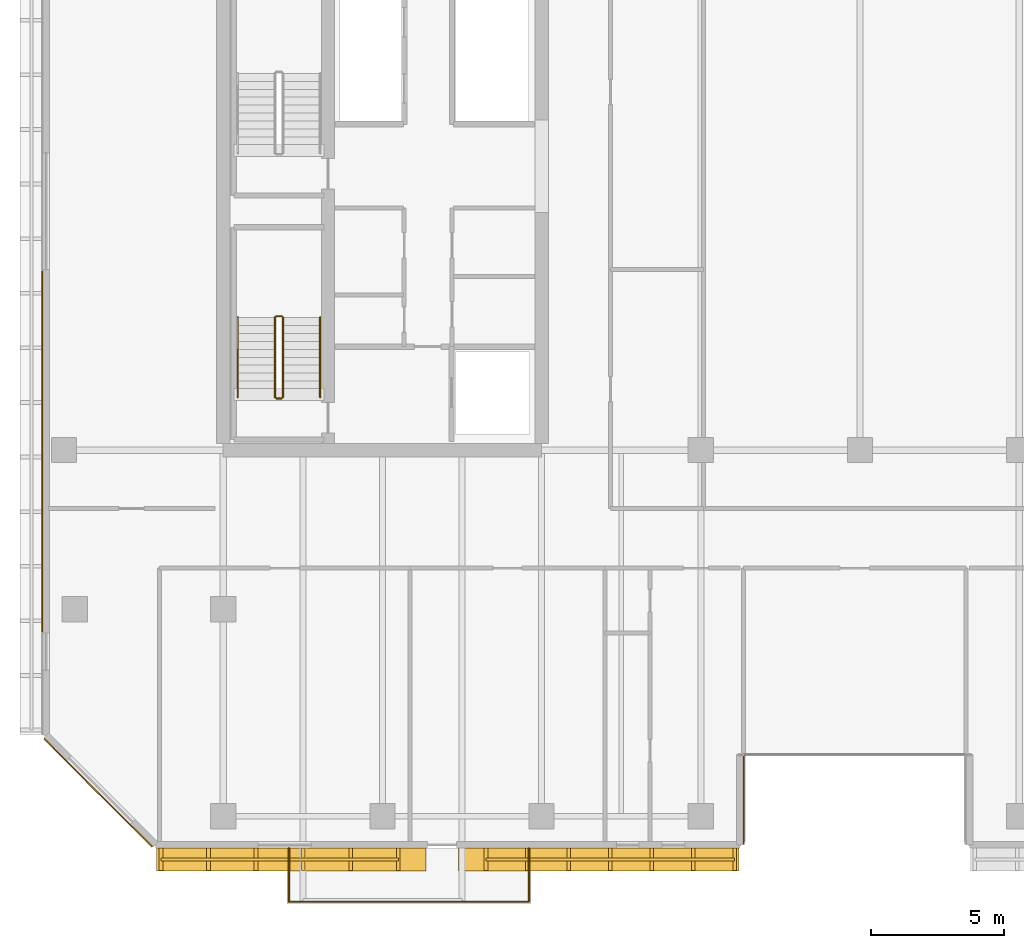
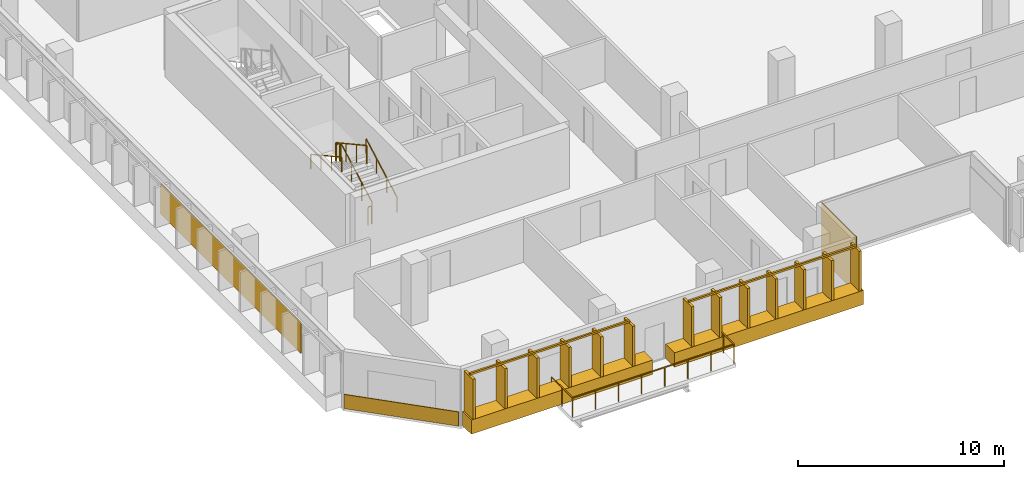
# One storey, part 18 of 23: 9 railings, 5 coverings.
"""IFC4 building model written with IfcOpenShell, lengths in metres."""

from ifc_helpers import new_model, si_unit, direction, frame, origin, origin_2d, place, context, subcontext, project, spatial, rectangle, extrude, material, layer, layer_set, type_object, element, save


model = new_model("IFC4")

# Units and contexts
model_context = context("Model", 3, precision=1e-05, world=origin(), true_north=direction((0.0, 1.0)))
body_context = subcontext(model_context, "Body", "Model", "MODEL_VIEW")
ifc_project = project(units=[si_unit("LENGTHUNIT", "METRE"), si_unit("AREAUNIT", "SQUARE_METRE"), si_unit("VOLUMEUNIT", "CUBIC_METRE"), si_unit("PLANEANGLEUNIT", "RADIAN"), si_unit("MASSUNIT", "GRAM", prefix="KILO")], contexts=[model_context])

# Site, building, storey
site_placement = place(None, origin())
site = spatial("IfcSite", under=ifc_project, at=site_placement, CompositionType="ELEMENT")
building_placement = place(site_placement, origin())
building = spatial("IfcBuilding", under=site, at=building_placement, Name="Tanjung Sevakor Pilgrim Tower", CompositionType="ELEMENT")
storey_placement = place(building_placement, frame((0.0, 0.0, 119.4599609375)))
storey = spatial("IfcBuildingStorey", under=building, at=storey_placement, Name="L33", CompositionType="ELEMENT", Elevation=119.4599609375)

# Coverings
ifc_material_1 = material(Name="Reconstructed Limestone Cladding", Category="masonry")
ifc_layer = layer(ifc_material_1, 0.044921875)
ifc_layer_set = layer_set([ifc_layer], Name="COV-CLAD-LIMESTONE")
covering_type = type_object("IfcCoveringType", Name="COV-CLAD-LIMESTONE", PredefinedType="CLADDING", material=ifc_layer_set)
covering_1_placement = place(storey_placement, frame((26.56591796875, 9.169921875, 0.009765625), z_axis=(0.0, 0.0, 1.0), x_axis=(1.0, 0.0, 0.0)))
element("IfcCovering", 1, at=covering_1_placement, inside=storey, type_object=covering_type, Name="L33 Warm Limestone Sill Spandrel EW-L33-MAIN-1-1", PredefinedType="CLADDING", context=body_context, shape_type="SweptSolid", body=[
    extrude(rectangle(XDim=10.148193359375, YDim=0.860107421875, at=origin_2d()), origin(), (0.0, 0.0, 1.0), 0.840087890625),
])
covering_2_placement = place(storey_placement, frame((38.1474609375, 9.169921875, 0.009765625), z_axis=(0.0, 0.0, 1.0), x_axis=(1.0, 0.0, 0.0)))
element("IfcCovering", 2, at=covering_2_placement, inside=storey, type_object=covering_type, Name="L33 Warm Limestone Sill Spandrel EW-L33-MAIN-1-2", PredefinedType="CLADDING", context=body_context, shape_type="SweptSolid", body=[
    extrude(rectangle(XDim=10.574951171875, YDim=0.860107421875, at=origin_2d()), origin(), (0.0, 0.0, 1.0), 0.840087890625),
])
covering_3_placement = place(storey_placement, frame((43.62255859375, 11.425048828125, 0.02001953125), z_axis=(0.0, 0.0, 1.0), x_axis=(0.0, 1.0, 0.0)))
element("IfcCovering", 3, at=covering_3_placement, inside=storey, type_object=covering_type, Name="L33 Warm Limestone Wall Cladding EW-L33-MAIN-2", PredefinedType="CLADDING", context=body_context, shape_type="SweptSolid", body=[
    extrude(rectangle(XDim=3.360107421875, YDim=0.044921875, at=origin_2d()), origin(), (0.0, 0.0, 1.0), 3.31005859375),
])
covering_4_placement = place(storey_placement, frame((17.177490234375, 24.552978515625, 0.85009765625), z_axis=(0.0, 0.0, 1.0), x_axis=(0.0, -1.0, 0.0)))
element("IfcCovering", 4, at=covering_4_placement, inside=storey, type_object=covering_type, Name="L33 Warm Limestone Pier Panel EW-L33-MAIN-15-2", PredefinedType="CLADDING", context=body_context, shape_type="SweptSolid", body=[
    extrude(rectangle(XDim=13.593994140625, YDim=0.044921875, at=origin_2d()), origin(), (0.0, 0.0, 1.0), 1.81005859375),
])
covering_5_placement = place(storey_placement, frame((19.2841796875, 11.68408203125, 0.009765625), z_axis=(0.0, 0.0, 1.0), x_axis=(0.707106781187, -0.707106781187, 0.0)))
element("IfcCovering", 5, at=covering_5_placement, inside=storey, type_object=covering_type, Name="L33 Warm Limestone Sill Spandrel EW-CHM-L33-MAIN-15-1", PredefinedType="CLADDING", context=body_context, shape_type="SweptSolid", body=[
    extrude(rectangle(XDim=5.756103515625, YDim=0.044921875, at=origin_2d()), origin(), (0.0, 0.0, 1.0), 0.840087890625),
])

# Railings
ifc_material_2 = material(Name="Laminated Glass and Aluminium", Category="aluminium")
railing_type_1 = type_object("IfcRailingType", Name="RL-BAL-BALUST", PredefinedType="BALUSTRADE", material=ifc_material_2)
railing_1_placement = place(storey_placement, frame((26.47998046875, 9.60009765625, 0.0)))
element("IfcRailing", 6, at=railing_1_placement, inside=storey, type_object=railing_type_1, Name="L33 Loggia Balustrade MAIN-S1", PredefinedType="BALUSTRADE", context=body_context, shape_type="SweptSolid", body=[
    extrude(rectangle(XDim=0.0479, YDim=0.0479), frame((0.0, 0.0, 1.1259765625), z_axis=(0.0, -1.0, 0.0), x_axis=(1.0, 0.0, 0.0)), (0.0, 0.0, 1.0), 2.02001953125),
    extrude(rectangle(XDim=0.0479, YDim=0.0479), frame((0.0, -2.02001953125, 1.1259765625), z_axis=(1.0, 0.0, 0.0), x_axis=(0.0, 1.0, 0.0)), (0.0, 0.0, 1.0), 9.0400390625),
    extrude(rectangle(XDim=0.0479, YDim=0.0479), frame((9.0400390625, -2.02001953125, 1.1259765625), z_axis=(0.0, 1.0, 0.0), x_axis=(-1.0, 0.0, 0.0)), (0.0, 0.0, 1.0), 2.02001953125),
    extrude(rectangle(XDim=0.042, YDim=0.042), origin(), (0.0, 0.0, 1.0), 1.101806640625),
    extrude(rectangle(XDim=0.042, YDim=0.042), frame((0.0, -1.010009765625, 0.0)), (0.0, 0.0, 1.0), 1.101806640625),
    extrude(rectangle(XDim=0.042, YDim=0.042), frame((0.0, -2.02001953125, 0.0)), (0.0, 0.0, 1.0), 1.101806640625),
    extrude(rectangle(XDim=0.042, YDim=0.042), frame((1.29150390625, -2.02001953125, 0.0)), (0.0, 0.0, 1.0), 1.101806640625),
    extrude(rectangle(XDim=0.042, YDim=0.042), frame((2.582763671875, -2.02001953125, 0.0)), (0.0, 0.0, 1.0), 1.101806640625),
    extrude(rectangle(XDim=0.042, YDim=0.042), frame((3.874267578125, -2.02001953125, 0.0)), (0.0, 0.0, 1.0), 1.101806640625),
    extrude(rectangle(XDim=0.042, YDim=0.042), frame((5.165771484375, -2.02001953125, 0.0)), (0.0, 0.0, 1.0), 1.101806640625),
    extrude(rectangle(XDim=0.042, YDim=0.042), frame((6.457275390625, -2.02001953125, 0.0)), (0.0, 0.0, 1.0), 1.101806640625),
    extrude(rectangle(XDim=0.042, YDim=0.042), frame((7.74853515625, -2.02001953125, 0.0)), (0.0, 0.0, 1.0), 1.101806640625),
    extrude(rectangle(XDim=0.042, YDim=0.042), frame((9.0400390625, -2.02001953125, 0.0)), (0.0, 0.0, 1.0), 1.101806640625),
    extrude(rectangle(XDim=0.042, YDim=0.042), frame((9.0400390625, -1.010009765625, 0.0)), (0.0, 0.0, 1.0), 1.101806640625),
    extrude(rectangle(XDim=0.042, YDim=0.042), frame((9.0400390625, 0.0, 0.0)), (0.0, 0.0, 1.0), 1.101806640625),
])
ifc_material_3 = material(Name="Anodised Bronze Aluminium 6063-T6", Category="aluminium")
railing_type_2 = type_object("IfcRailingType", Name="RL-FIN-SCREEN", PredefinedType="BALUSTRADE", material=ifc_material_3)
railing_2_placement = place(storey_placement, frame((21.65185546875, 9.175048828125, 0.840087890625)))
element("IfcRailing", 7, at=railing_2_placement, inside=storey, type_object=railing_type_2, Name="L33 Vertical Bronze-Gold Solar Fin Screen FNSCR-EW-L33-MAIN-1-1", PredefinedType="BALUSTRADE", context=body_context, shape_type="SweptSolid", body=[
    extrude(rectangle(XDim=0.105, YDim=0.105), frame((0.0, 0.0, 2.427490234375), z_axis=(1.0, 0.0, 0.0), x_axis=(0.0, 1.0, 0.0)), (0.0, 0.0, 1.0), 8.9482421875),
    extrude(rectangle(XDim=0.14, YDim=0.85), origin(), (0.0, 0.0, 1.0), 2.375),
    extrude(rectangle(XDim=0.14, YDim=0.85), frame((1.78955078125, 0.0, 0.0)), (0.0, 0.0, 1.0), 2.375),
    extrude(rectangle(XDim=0.14, YDim=0.85), frame((3.579345703125, 0.0, 0.0)), (0.0, 0.0, 1.0), 2.375),
    extrude(rectangle(XDim=0.14, YDim=0.85), frame((5.368896484375, 0.0, 0.0)), (0.0, 0.0, 1.0), 2.375),
    extrude(rectangle(XDim=0.14, YDim=0.85), frame((7.15869140625, 0.0, 0.0)), (0.0, 0.0, 1.0), 2.375),
    extrude(rectangle(XDim=0.14, YDim=0.85), frame((8.9482421875, 0.0, 0.0)), (0.0, 0.0, 1.0), 2.375),
])
railing_3_placement = place(storey_placement, frame((33.89990234375, 9.175048828125, 0.840087890625)))
element("IfcRailing", 8, at=railing_3_placement, inside=storey, type_object=railing_type_2, Name="L33 Vertical Bronze-Gold Solar Fin Screen FNSCR-EW-L33-MAIN-1-2", PredefinedType="BALUSTRADE", context=body_context, shape_type="SweptSolid", body=[
    extrude(rectangle(XDim=0.105, YDim=0.105), frame((0.0, 0.0, 2.427490234375), z_axis=(1.0, 0.0, 0.0), x_axis=(0.0, 1.0, 0.0)), (0.0, 0.0, 1.0), 9.375),
    extrude(rectangle(XDim=0.14, YDim=0.85), origin(), (0.0, 0.0, 1.0), 2.375),
    extrude(rectangle(XDim=0.14, YDim=0.85), frame((1.5625, 0.0, 0.0)), (0.0, 0.0, 1.0), 2.375),
    extrude(rectangle(XDim=0.14, YDim=0.85), frame((3.125, 0.0, 0.0)), (0.0, 0.0, 1.0), 2.375),
    extrude(rectangle(XDim=0.14, YDim=0.85), frame((4.6875, 0.0, 0.0)), (0.0, 0.0, 1.0), 2.375),
    extrude(rectangle(XDim=0.14, YDim=0.85), frame((6.25, 0.0, 0.0)), (0.0, 0.0, 1.0), 2.375),
    extrude(rectangle(XDim=0.14, YDim=0.85), frame((7.8125, 0.0, 0.0)), (0.0, 0.0, 1.0), 2.375),
    extrude(rectangle(XDim=0.14, YDim=0.85), frame((9.375, 0.0, 0.0)), (0.0, 0.0, 1.0), 2.375),
])
ifc_material_4 = material(Name="Steel S355J2", Category="steel")
railing_type_3 = type_object("IfcRailingType", Name="RL-STAIR-GUARD", PredefinedType="GUARDRAIL", material=ifc_material_4)
railing_4_placement = place(storey_placement, frame((26.25, 26.60009765625, 0.1650390625)))
element("IfcRailing", 9, at=railing_4_placement, inside=storey, type_object=railing_type_3, Name="L33 TS-W1 stair guard 1", PredefinedType="GUARDRAIL", context=body_context, shape_type="SweptSolid", body=[
    extrude(rectangle(XDim=0.0479, YDim=0.0479), frame((0.0, 0.0, 1.076171875), z_axis=(0.0, 0.876227952683, 0.48189685093), x_axis=(-1.0, 0.0, 0.0)), (0.0, 0.0, 1.0), 3.423828125),
    extrude(rectangle(XDim=0.042, YDim=0.042), origin(), (0.0, 0.0, 1.0), 1.052001953125),
    extrude(rectangle(XDim=0.042, YDim=0.042), frame((0.0, 1.0, 0.550048828125)), (0.0, 0.0, 1.0), 1.052001953125),
    extrude(rectangle(XDim=0.042, YDim=0.042), frame((0.0, 2.0, 1.099853515625)), (0.0, 0.0, 1.0), 1.052001953125),
    extrude(rectangle(XDim=0.042, YDim=0.042), frame((0.0, 3.0, 1.64990234375)), (0.0, 0.0, 1.0), 1.052001953125),
])
railing_5_placement = place(storey_placement, frame((26.199951171875, 29.64990234375, 1.81494140625)))
element("IfcRailing", 10, at=railing_5_placement, inside=storey, type_object=railing_type_3, Name="L33 TS-W1 stair guard 2", PredefinedType="GUARDRAIL", context=body_context, shape_type="SweptSolid", body=[
    extrude(rectangle(XDim=0.0479, YDim=0.0479), frame((0.0, 0.0, 1.076171875), z_axis=(-1.0, 0.0, 0.0), x_axis=(0.0, -1.0, 0.0)), (0.0, 0.0, 1.0), 0.199951171875),
    extrude(rectangle(XDim=0.042, YDim=0.042), origin(), (0.0, 0.0, 1.0), 1.052001953125),
    extrude(rectangle(XDim=0.042, YDim=0.042), frame((-0.199951171875, 0.0, 0.0)), (0.0, 0.0, 1.0), 1.052001953125),
])
railing_6_placement = place(storey_placement, frame((25.949951171875, 29.60009765625, 1.97998046875)))
element("IfcRailing", 11, at=railing_6_placement, inside=storey, type_object=railing_type_3, Name="L33 TS-W1 stair guard 3", PredefinedType="GUARDRAIL", context=body_context, shape_type="SweptSolid", body=[
    extrude(rectangle(XDim=0.0479, YDim=0.0479), frame((0.0, 0.0, 1.076171875), z_axis=(0.0, -0.876197842262, 0.481951596342), x_axis=(1.0, 0.0, 0.0)), (0.0, 0.0, 1.0), 3.423828125),
    extrude(rectangle(XDim=0.042, YDim=0.042), origin(), (0.0, 0.0, 1.0), 1.052001953125),
    extrude(rectangle(XDim=0.042, YDim=0.042), frame((0.0, -1.0, 0.550048828125)), (0.0, 0.0, 1.0), 1.052001953125),
    extrude(rectangle(XDim=0.042, YDim=0.042), frame((0.0, -2.0, 1.10009765625)), (0.0, 0.0, 1.0), 1.052001953125),
    extrude(rectangle(XDim=0.042, YDim=0.042), frame((0.0, -3.0, 1.650146484375)), (0.0, 0.0, 1.0), 1.052001953125),
])
railing_7_placement = place(storey_placement, frame((26.199951171875, 26.550048828125, 0.0)))
element("IfcRailing", 12, at=railing_7_placement, inside=storey, type_object=railing_type_3, Name="L33 TS-W1 stair guard 4", PredefinedType="GUARDRAIL", context=body_context, shape_type="SweptSolid", body=[
    extrude(rectangle(XDim=0.0479, YDim=0.0479), frame((0.0, 0.0, 1.076171875), z_axis=(-1.0, 0.0, 0.0), x_axis=(0.0, -1.0, 0.0)), (0.0, 0.0, 1.0), 0.199951171875),
    extrude(rectangle(XDim=0.042, YDim=0.042), origin(), (0.0, 0.0, 1.0), 1.052001953125),
    extrude(rectangle(XDim=0.042, YDim=0.042), frame((-0.199951171875, 0.0, 0.0)), (0.0, 0.0, 1.0), 1.052001953125),
])
ifc_material_5 = material(Name="Steel S355J2", Category="steel")
railing_type_4 = type_object("IfcRailingType", Name="RL-STAIR-HAND", PredefinedType="HANDRAIL", material=ifc_material_5)
railing_8_placement = place(storey_placement, frame((27.64990234375, 26.60009765625, 0.1650390625)))
element("IfcRailing", 13, at=railing_8_placement, inside=storey, type_object=railing_type_4, Name="L33 TS-W1 stair handrail 1", PredefinedType="HANDRAIL", context=body_context, shape_type="SweptSolid", body=[
    extrude(rectangle(XDim=0.0479, YDim=0.0479), frame((0.0, 0.0, 0.8759765625), z_axis=(0.0, 0.876227952683, 0.48189685093), x_axis=(-1.0, 0.0, 0.0)), (0.0, 0.0, 1.0), 3.423828125),
    extrude(rectangle(XDim=0.042, YDim=0.042), origin(), (0.0, 0.0, 1.0), 0.851806640625),
    extrude(rectangle(XDim=0.042, YDim=0.042), frame((0.0, 1.0, 0.550048828125)), (0.0, 0.0, 1.0), 0.851806640625),
    extrude(rectangle(XDim=0.042, YDim=0.042), frame((0.0, 2.0, 1.099853515625)), (0.0, 0.0, 1.0), 0.851806640625),
    extrude(rectangle(XDim=0.042, YDim=0.042), frame((0.0, 3.0, 1.64990234375)), (0.0, 0.0, 1.0), 0.851806640625),
])
railing_9_placement = place(storey_placement, frame((24.550048828125, 29.60009765625, 1.97998046875)))
element("IfcRailing", 14, at=railing_9_placement, inside=storey, type_object=railing_type_4, Name="L33 TS-W1 stair handrail 2", PredefinedType="HANDRAIL", context=body_context, shape_type="SweptSolid", body=[
    extrude(rectangle(XDim=0.0479, YDim=0.0479), frame((0.0, 0.0, 0.8759765625), z_axis=(0.0, -0.876197842262, 0.481951596342), x_axis=(1.0, 0.0, 0.0)), (0.0, 0.0, 1.0), 3.423828125),
    extrude(rectangle(XDim=0.042, YDim=0.042), origin(), (0.0, 0.0, 1.0), 0.851806640625),
    extrude(rectangle(XDim=0.042, YDim=0.042), frame((0.0, -1.0, 0.550048828125)), (0.0, 0.0, 1.0), 0.851806640625),
    extrude(rectangle(XDim=0.042, YDim=0.042), frame((0.0, -2.0, 1.10009765625)), (0.0, 0.0, 1.0), 0.851806640625),
    extrude(rectangle(XDim=0.042, YDim=0.042), frame((0.0, -3.0, 1.650146484375)), (0.0, 0.0, 1.0), 0.851806640625),
])

save(model, "model.ifc")
